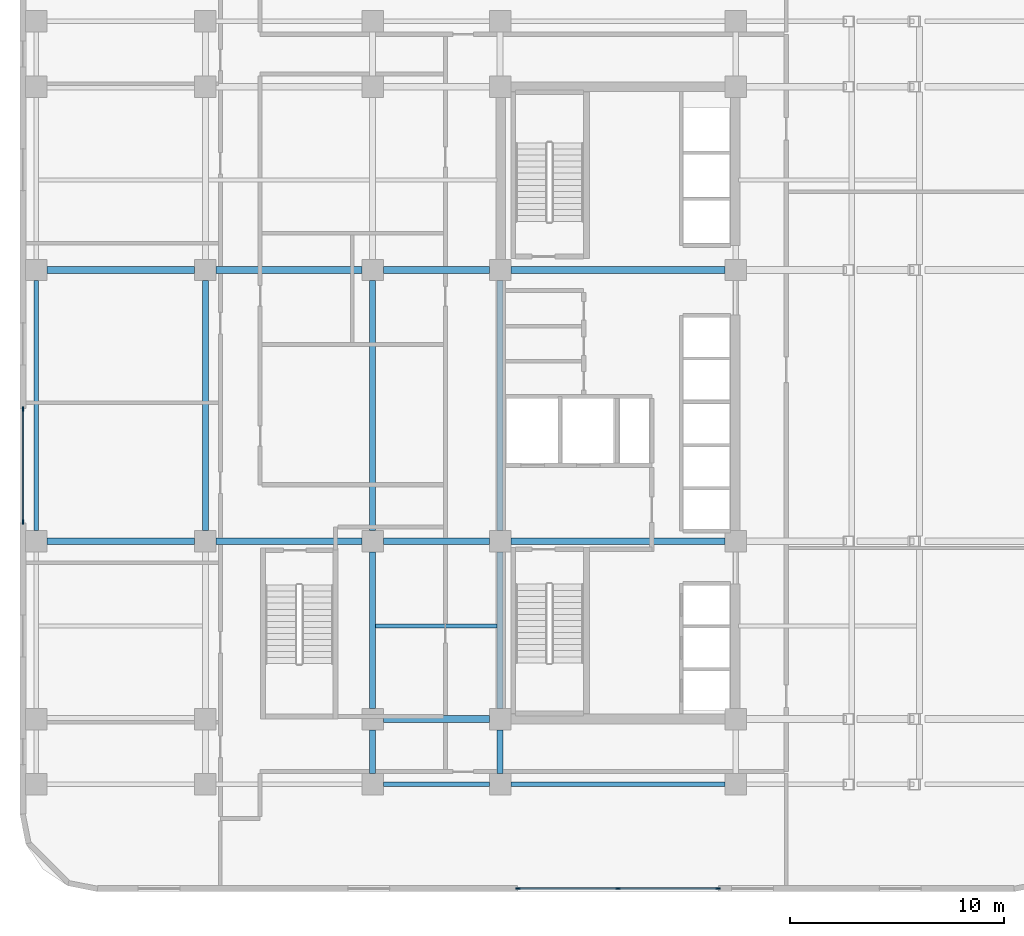
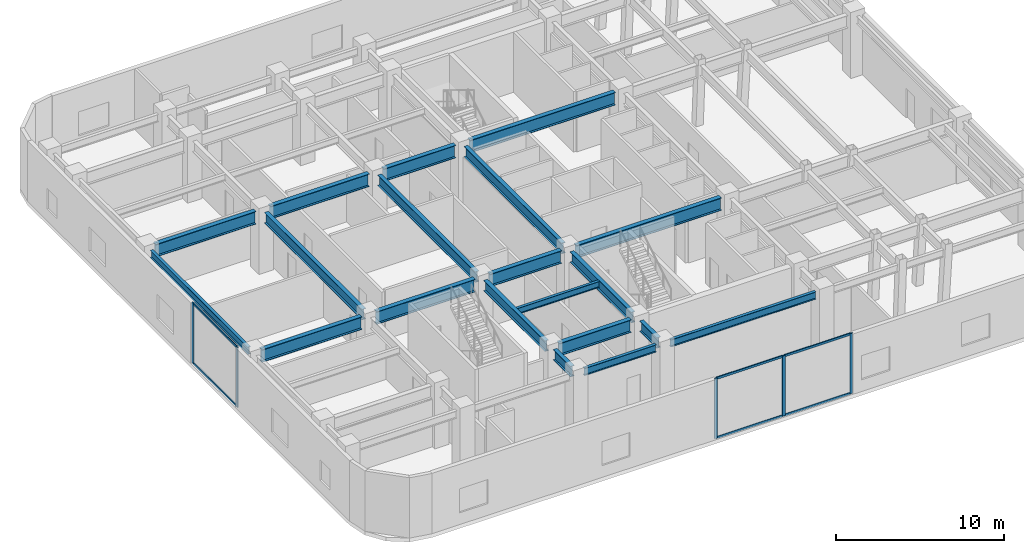
# One storey, part 2 of 10: 20 beams, 11 members, 2 elements without a shape of their own.
"""IFC4 building model written with IfcOpenShell, lengths in metres."""

from ifc_helpers import new_model, si_unit, direction, frame, origin, origin_2d, place, context, subcontext, project, spatial, rectangle, i_section, extrude, material, layer, layer_set, material_profile, profile_set, type_object, element, aggregate, save


model = new_model("IFC4")

# Units and contexts
model_context = context("Model", 3, precision=1e-05, world=origin(), true_north=direction((0.0, 1.0)))
body_context = subcontext(model_context, "Body", "Model", "MODEL_VIEW")
ifc_project = project(units=[si_unit("LENGTHUNIT", "METRE"), si_unit("AREAUNIT", "SQUARE_METRE"), si_unit("VOLUMEUNIT", "CUBIC_METRE"), si_unit("PLANEANGLEUNIT", "RADIAN"), si_unit("MASSUNIT", "GRAM", prefix="KILO")], contexts=[model_context])

# Site, building, storey
site_placement = place(None, origin())
site = spatial("IfcSite", under=ifc_project, at=site_placement, CompositionType="ELEMENT")
building_placement = place(site_placement, origin())
building = spatial("IfcBuilding", under=site, at=building_placement, Name="Ochreholt Gables", CompositionType="ELEMENT")
storey_placement = place(building_placement, frame((0.0, 0.0, 14.39990234375)))
storey = spatial("IfcBuildingStorey", under=building, at=storey_placement, Name="L03", CompositionType="ELEMENT", Elevation=14.39990234375)

# Beams
ifc_material_1 = material(Name="Steel CSA G40.21 350W", Category="steel")
ifc_material_profile_1 = material_profile(ifc_material_1, i_section(OverallWidth=0.26806640625, OverallDepth=0.77001953125, WebThickness=0.015625, FlangeThickness=0.025390625, at=origin_2d()), Name="W760X196")
ifc_profile_set_1 = profile_set([ifc_material_profile_1], Name="Steel CSA G40.21 350W")
beam_type_1 = type_object("IfcBeamType", Name="BM-G-W760", PredefinedType="BEAM", material=ifc_profile_set_1)
beam_1_placement = place(storey_placement, frame((10.449951171875, 18.049560546875, 4.005126953125), z_axis=(0.0, 1.0, 0.0), x_axis=(-1.0, 0.0, 0.0)))
element("IfcBeam", 1, at=beam_1_placement, inside=storey, type_object=beam_type_1, Name="L03 Beam BG-L03-W2-Y3Y4", PredefinedType="BEAM", context=body_context, shape_type="SweptSolid", body=[
    extrude(i_section(OverallWidth=0.26806640625, OverallDepth=0.77001953125, WebThickness=0.015625, FlangeThickness=0.025390625, at=origin_2d()), origin(), (0.0, 0.0, 1.0), 11.65087890625),
])
beam_2_placement = place(storey_placement, frame((18.25, 6.69970703125, 4.005126953125), z_axis=(0.0, 1.0, 0.0), x_axis=(-1.0, 0.0, 0.0)))
element("IfcBeam", 2, at=beam_2_placement, inside=storey, type_object=beam_type_1, Name="L03 Beam BG-L03-W3-Y1Y2", PredefinedType="BEAM", context=body_context, shape_type="SweptSolid", body=[
    extrude(i_section(OverallWidth=0.26806640625, OverallDepth=0.77001953125, WebThickness=0.015625, FlangeThickness=0.025390625, at=origin_2d()), origin(), (0.0, 0.0, 1.0), 2.05078125),
])
beam_3_placement = place(storey_placement, frame((18.25, 9.74951171875, 4.005126953125), z_axis=(0.0, 1.0, 0.0), x_axis=(-1.0, 0.0, 0.0)))
element("IfcBeam", 3, at=beam_3_placement, inside=storey, type_object=beam_type_1, Name="L03 Beam BG-L03-W3-Y2Y3", PredefinedType="BEAM", context=body_context, shape_type="SweptSolid", body=[
    extrude(i_section(OverallWidth=0.26806640625, OverallDepth=0.77001953125, WebThickness=0.015625, FlangeThickness=0.025390625, at=origin_2d()), origin(), (0.0, 0.0, 1.0), 7.30078125),
])
beam_4_placement = place(storey_placement, frame((18.25, 18.049560546875, 4.005126953125), z_axis=(0.0, 1.0, 0.0), x_axis=(-1.0, 0.0, 0.0)))
element("IfcBeam", 4, at=beam_4_placement, inside=storey, type_object=beam_type_1, Name="L03 Beam BG-L03-W3-Y3Y4", PredefinedType="BEAM", context=body_context, shape_type="SweptSolid", body=[
    extrude(i_section(OverallWidth=0.26806640625, OverallDepth=0.77001953125, WebThickness=0.015625, FlangeThickness=0.025390625, at=origin_2d()), origin(), (0.0, 0.0, 1.0), 11.65087890625),
])
beam_5_placement = place(storey_placement, frame((24.199951171875, 6.69970703125, 4.005126953125), z_axis=(0.0, 1.0, 0.0), x_axis=(-1.0, 0.0, 0.0)))
element("IfcBeam", 5, at=beam_5_placement, inside=storey, type_object=beam_type_1, Name="L03 Beam BG-L03-C1-Y1Y2", PredefinedType="BEAM", context=body_context, shape_type="SweptSolid", body=[
    extrude(i_section(OverallWidth=0.26806640625, OverallDepth=0.77001953125, WebThickness=0.015625, FlangeThickness=0.025390625, at=origin_2d()), origin(), (0.0, 0.0, 1.0), 2.05078125),
])
beam_6_placement = place(storey_placement, frame((24.199951171875, 9.74951171875, 4.005126953125), z_axis=(0.0, 1.0, 0.0), x_axis=(-1.0, 0.0, 0.0)))
element("IfcBeam", 6, at=beam_6_placement, inside=storey, type_object=beam_type_1, Name="L03 Beam BG-L03-C1-Y2Y3", PredefinedType="BEAM", context=body_context, shape_type="SweptSolid", body=[
    extrude(i_section(OverallWidth=0.26806640625, OverallDepth=0.77001953125, WebThickness=0.015625, FlangeThickness=0.025390625, at=origin_2d()), origin(), (0.0, 0.0, 1.0), 7.30078125),
])
beam_7_placement = place(storey_placement, frame((24.199951171875, 18.049560546875, 4.005126953125), z_axis=(0.0, 1.0, 0.0), x_axis=(-1.0, 0.0, 0.0)))
element("IfcBeam", 7, at=beam_7_placement, inside=storey, type_object=beam_type_1, Name="L03 Beam BG-L03-C1-Y3Y4", PredefinedType="BEAM", context=body_context, shape_type="SweptSolid", body=[
    extrude(i_section(OverallWidth=0.26806640625, OverallDepth=0.77001953125, WebThickness=0.015625, FlangeThickness=0.025390625, at=origin_2d()), origin(), (0.0, 0.0, 1.0), 11.65087890625),
])
ifc_material_profile_2 = material_profile(ifc_material_1, i_section(OverallWidth=0.30810546875, OverallDepth=0.927001953125, WebThickness=0.019287109375, FlangeThickness=0.031982421875, at=origin_2d()), Name="W920X289")
ifc_profile_set_2 = profile_set([ifc_material_profile_2], Name="Steel CSA G40.21 350W")
beam_type_2 = type_object("IfcBeamType", Name="BM-G-W920", PredefinedType="BEAM", material=ifc_profile_set_2)
beam_8_placement = place(storey_placement, frame((18.74951171875, 9.25, 3.926513671875), z_axis=(1.0, 0.0, 0.0), x_axis=(0.0, 1.0, 0.0)))
element("IfcBeam", 8, at=beam_8_placement, inside=storey, type_object=beam_type_2, Name="L03 Beam BG-L03-W3C1-Y2", PredefinedType="BEAM", context=body_context, shape_type="SweptSolid", body=[
    extrude(i_section(OverallWidth=0.30810546875, OverallDepth=0.927001953125, WebThickness=0.019287109375, FlangeThickness=0.031982421875, at=origin_2d()), origin(), (0.0, 0.0, 1.0), 4.950927734375),
])
beam_9_placement = place(storey_placement, frame((3.049560546875, 17.550048828125, 3.926513671875), z_axis=(1.0, 0.0, 0.0), x_axis=(0.0, 1.0, 0.0)))
element("IfcBeam", 9, at=beam_9_placement, inside=storey, type_object=beam_type_2, Name="L03 Beam BG-L03-W1W2-Y3", PredefinedType="BEAM", context=body_context, shape_type="SweptSolid", body=[
    extrude(i_section(OverallWidth=0.30810546875, OverallDepth=0.927001953125, WebThickness=0.019287109375, FlangeThickness=0.031982421875, at=origin_2d()), origin(), (0.0, 0.0, 1.0), 6.90087890625),
])
beam_10_placement = place(storey_placement, frame((10.94970703125, 17.550048828125, 3.926513671875), z_axis=(1.0, 0.0, 0.0), x_axis=(0.0, 1.0, 0.0)))
element("IfcBeam", 10, at=beam_10_placement, inside=storey, type_object=beam_type_2, Name="L03 Beam BG-L03-W2W3-Y3", PredefinedType="BEAM", context=body_context, shape_type="SweptSolid", body=[
    extrude(i_section(OverallWidth=0.30810546875, OverallDepth=0.927001953125, WebThickness=0.019287109375, FlangeThickness=0.031982421875, at=origin_2d()), origin(), (0.0, 0.0, 1.0), 6.80078125),
])
beam_11_placement = place(storey_placement, frame((18.74951171875, 17.550048828125, 3.926513671875), z_axis=(1.0, 0.0, 0.0), x_axis=(0.0, 1.0, 0.0)))
element("IfcBeam", 11, at=beam_11_placement, inside=storey, type_object=beam_type_2, Name="L03 Beam BG-L03-W3C1-Y3", PredefinedType="BEAM", context=body_context, shape_type="SweptSolid", body=[
    extrude(i_section(OverallWidth=0.30810546875, OverallDepth=0.927001953125, WebThickness=0.019287109375, FlangeThickness=0.031982421875, at=origin_2d()), origin(), (0.0, 0.0, 1.0), 4.950927734375),
])
beam_12_placement = place(storey_placement, frame((24.69970703125, 17.550048828125, 3.926513671875), z_axis=(1.0, 0.0, 0.0), x_axis=(0.0, 1.0, 0.0)))
element("IfcBeam", 12, at=beam_12_placement, inside=storey, type_object=beam_type_2, Name="L03 Beam BG-L03-C1C2-Y3", PredefinedType="BEAM", context=body_context, shape_type="SweptSolid", body=[
    extrude(i_section(OverallWidth=0.30810546875, OverallDepth=0.927001953125, WebThickness=0.019287109375, FlangeThickness=0.031982421875, at=origin_2d()), origin(), (0.0, 0.0, 1.0), 10.000732421875),
])
beam_13_placement = place(storey_placement, frame((3.049560546875, 30.199951171875, 3.926513671875), z_axis=(1.0, 0.0, 0.0), x_axis=(0.0, 1.0, 0.0)))
element("IfcBeam", 13, at=beam_13_placement, inside=storey, type_object=beam_type_2, Name="L03 Beam BG-L03-W1W2-Y4", PredefinedType="BEAM", context=body_context, shape_type="SweptSolid", body=[
    extrude(i_section(OverallWidth=0.30810546875, OverallDepth=0.927001953125, WebThickness=0.019287109375, FlangeThickness=0.031982421875, at=origin_2d()), origin(), (0.0, 0.0, 1.0), 6.90087890625),
])
beam_14_placement = place(storey_placement, frame((10.94970703125, 30.199951171875, 3.926513671875), z_axis=(1.0, 0.0, 0.0), x_axis=(0.0, 1.0, 0.0)))
element("IfcBeam", 14, at=beam_14_placement, inside=storey, type_object=beam_type_2, Name="L03 Beam BG-L03-W2W3-Y4", PredefinedType="BEAM", context=body_context, shape_type="SweptSolid", body=[
    extrude(i_section(OverallWidth=0.30810546875, OverallDepth=0.927001953125, WebThickness=0.019287109375, FlangeThickness=0.031982421875, at=origin_2d()), origin(), (0.0, 0.0, 1.0), 6.80078125),
])
beam_15_placement = place(storey_placement, frame((18.74951171875, 30.199951171875, 3.926513671875), z_axis=(1.0, 0.0, 0.0), x_axis=(0.0, 1.0, 0.0)))
element("IfcBeam", 15, at=beam_15_placement, inside=storey, type_object=beam_type_2, Name="L03 Beam BG-L03-W3C1-Y4", PredefinedType="BEAM", context=body_context, shape_type="SweptSolid", body=[
    extrude(i_section(OverallWidth=0.30810546875, OverallDepth=0.927001953125, WebThickness=0.019287109375, FlangeThickness=0.031982421875, at=origin_2d()), origin(), (0.0, 0.0, 1.0), 4.950927734375),
])
beam_16_placement = place(storey_placement, frame((24.69970703125, 30.199951171875, 3.926513671875), z_axis=(1.0, 0.0, 0.0), x_axis=(0.0, 1.0, 0.0)))
element("IfcBeam", 16, at=beam_16_placement, inside=storey, type_object=beam_type_2, Name="L03 Beam BG-L03-C1C2-Y4", PredefinedType="BEAM", context=body_context, shape_type="SweptSolid", body=[
    extrude(i_section(OverallWidth=0.30810546875, OverallDepth=0.927001953125, WebThickness=0.019287109375, FlangeThickness=0.031982421875, at=origin_2d()), origin(), (0.0, 0.0, 1.0), 10.000732421875),
])
ifc_material_profile_3 = material_profile(ifc_material_1, i_section(OverallWidth=0.18994140625, OverallDepth=0.45703125, WebThickness=0.009033203125, FlangeThickness=0.014404296875, at=origin_2d()), Name="W460X74")
ifc_profile_set_3 = profile_set([ifc_material_profile_3], Name="Steel CSA G40.21 350W")
beam_type_3 = type_object("IfcBeamType", Name="BM-J-W460B", PredefinedType="JOIST", material=ifc_profile_set_3)
beam_17_placement = place(storey_placement, frame((18.383544921875, 13.60009765625, 4.16162109375), z_axis=(1.0, 0.0, 0.0), x_axis=(0.0, 1.0, 0.0)))
element("IfcBeam", 17, at=beam_17_placement, inside=storey, type_object=beam_type_3, Name="L03 Beam BJ-L03-J1-W3C1", PredefinedType="JOIST", context=body_context, shape_type="SweptSolid", body=[
    extrude(i_section(OverallWidth=0.18994140625, OverallDepth=0.45703125, WebThickness=0.009033203125, FlangeThickness=0.014404296875, at=origin_2d()), origin(), (0.0, 0.0, 1.0), 5.682861328125),
])
ifc_material_profile_4 = material_profile(ifc_material_1, i_section(OverallWidth=0.208984375, OverallDepth=0.532958984375, WebThickness=0.01025390625, FlangeThickness=0.015625, at=origin_2d()), Name="W530X92")
ifc_profile_set_4 = profile_set([ifc_material_profile_4], Name="Steel CSA G40.21 350W")
beam_type_4 = type_object("IfcBeamType", Name="BM-SP-W530B", PredefinedType="SPANDREL", material=ifc_profile_set_4)
beam_18_placement = place(storey_placement, frame((18.74951171875, 6.199951171875, 4.12353515625), z_axis=(1.0, 0.0, 0.0), x_axis=(0.0, 1.0, 0.0)))
element("IfcBeam", 18, at=beam_18_placement, inside=storey, type_object=beam_type_4, Name="L03 Beam BG-L03-W3C1-Y1", PredefinedType="SPANDREL", context=body_context, shape_type="SweptSolid", body=[
    extrude(i_section(OverallWidth=0.208984375, OverallDepth=0.532958984375, WebThickness=0.01025390625, FlangeThickness=0.015625, at=origin_2d()), origin(), (0.0, 0.0, 1.0), 4.950927734375),
])
beam_19_placement = place(storey_placement, frame((24.69970703125, 6.199951171875, 4.12353515625), z_axis=(1.0, 0.0, 0.0), x_axis=(0.0, 1.0, 0.0)))
element("IfcBeam", 19, at=beam_19_placement, inside=storey, type_object=beam_type_4, Name="L03 Beam BG-L03-C1C2-Y1", PredefinedType="SPANDREL", context=body_context, shape_type="SweptSolid", body=[
    extrude(i_section(OverallWidth=0.208984375, OverallDepth=0.532958984375, WebThickness=0.01025390625, FlangeThickness=0.015625, at=origin_2d()), origin(), (0.0, 0.0, 1.0), 10.000732421875),
])
beam_20_placement = place(storey_placement, frame((2.550048828125, 18.049560546875, 4.12353515625), z_axis=(0.0, 1.0, 0.0), x_axis=(-1.0, 0.0, 0.0)))
element("IfcBeam", 20, at=beam_20_placement, inside=storey, type_object=beam_type_4, Name="L03 Beam BG-L03-W1-Y3Y4", PredefinedType="SPANDREL", context=body_context, shape_type="SweptSolid", body=[
    extrude(i_section(OverallWidth=0.208984375, OverallDepth=0.532958984375, WebThickness=0.01025390625, FlangeThickness=0.015625, at=origin_2d()), origin(), (0.0, 0.0, 1.0), 11.65087890625),
])

# Curtain wall, members
ifc_material_2 = material(Name="Unitised Aluminium and Triple Glazing", Category="aluminium")
ifc_layer = layer(ifc_material_2, 0.199951171875, Name="Unitised Aluminium and Triple Glazing")
ifc_layer_set = layer_set([ifc_layer], Name="Unitised Aluminium and Triple Glazing")
curtain_wall_type = type_object("IfcCurtainWallType", Name="CW-SYS1", PredefinedType="NOTDEFINED", material=ifc_layer_set)
curtain_wall_1_placement = place(storey_placement, origin())
curtain_wall_1 = element("IfcCurtainWall", 21, at=curtain_wall_1_placement, inside=storey, type_object=curtain_wall_type, Name="L03 South Unitised Curtain Wall", PredefinedType="NOTDEFINED")
ifc_material_3 = material(Name="Anodized Aluminium 6063-T6", Category="aluminium")
ifc_material_profile_5 = material_profile(ifc_material_3, rectangle(XDim=0.074951171875, YDim=0.199951171875, at=origin_2d()), Name="CWM75X200")
ifc_profile_set_5 = profile_set([ifc_material_profile_5], Name="Anodized Aluminium 6063-T6")
member_type_1 = type_object("IfcMemberType", Name="CW-MUL-A", PredefinedType="MULLION", material=ifc_profile_set_5)
member_1_placement = place(storey_placement, frame((25.03759765625, 1.344970703125, 0.0), z_axis=(0.0, 0.0, 1.0), x_axis=(0.0, 1.0, 0.0)))
member_1 = element("IfcMember", 22, at=member_1_placement, type_object=member_type_1, Name="CW-1 mullion 1", PredefinedType="MULLION", context=body_context, shape_type="SweptSolid", body=[
    extrude(rectangle(XDim=0.074951171875, YDim=0.199951171875, at=origin_2d()), origin(), (0.0, 0.0, 1.0), 4.39013671875),
])
member_2_placement = place(storey_placement, frame((29.699951171875, 1.344970703125, 0.0), z_axis=(0.0, 0.0, 1.0), x_axis=(0.0, 1.0, 0.0)))
member_2 = element("IfcMember", 23, at=member_2_placement, type_object=member_type_1, Name="CW-1 mullion 2", PredefinedType="MULLION", context=body_context, shape_type="SweptSolid", body=[
    extrude(rectangle(XDim=0.074951171875, YDim=0.199951171875, at=origin_2d()), origin(), (0.0, 0.0, 1.0), 4.39013671875),
])
member_3_placement = place(storey_placement, frame((34.362548828125, 1.344970703125, 0.0), z_axis=(0.0, 0.0, 1.0), x_axis=(0.0, 1.0, 0.0)))
member_3 = element("IfcMember", 24, at=member_3_placement, type_object=member_type_1, Name="CW-1 mullion 3", PredefinedType="MULLION", context=body_context, shape_type="SweptSolid", body=[
    extrude(rectangle(XDim=0.074951171875, YDim=0.199951171875, at=origin_2d()), origin(), (0.0, 0.0, 1.0), 4.39013671875),
])

curtain_wall_2_placement = place(storey_placement, origin())
curtain_wall_2 = element("IfcCurtainWall", 25, at=curtain_wall_2_placement, inside=storey, type_object=curtain_wall_type, Name="L03 West Unitised Curtain Wall", PredefinedType="NOTDEFINED")
member_4_placement = place(storey_placement, frame((1.945068359375, 23.71240234375, 0.0), z_axis=(0.0, 0.0, 1.0), x_axis=(1.0, 0.0, 0.0)))
member_4 = element("IfcMember", 26, at=member_4_placement, type_object=member_type_1, Name="CW-1 mullion 1", PredefinedType="MULLION", context=body_context, shape_type="SweptSolid", body=[
    extrude(rectangle(XDim=0.074951171875, YDim=0.199951171875, at=origin_2d()), origin(), (0.0, 0.0, 1.0), 4.39013671875),
])
member_5_placement = place(storey_placement, frame((1.945068359375, 18.4375, 0.0), z_axis=(0.0, 0.0, 1.0), x_axis=(1.0, 0.0, 0.0)))
member_5 = element("IfcMember", 27, at=member_5_placement, type_object=member_type_1, Name="CW-1 mullion 2", PredefinedType="MULLION", context=body_context, shape_type="SweptSolid", body=[
    extrude(rectangle(XDim=0.074951171875, YDim=0.199951171875, at=origin_2d()), origin(), (0.0, 0.0, 1.0), 4.39013671875),
])

# Member
ifc_material_profile_6 = material_profile(ifc_material_3, rectangle(XDim=0.074951171875, YDim=0.159912109375, at=origin_2d()), Name="CWT75X160")
ifc_profile_set_6 = profile_set([ifc_material_profile_6], Name="Anodized Aluminium 6063-T6")
member_type_2 = type_object("IfcMemberType", Name="CW-TRN-A", PredefinedType="USERDEFINED", material=ifc_profile_set_6)
member_6_placement = place(storey_placement, frame((25.074951171875, 1.344970703125, 0.03759765625), z_axis=(1.0, 0.0, 0.0), x_axis=(0.0, 1.0, 0.0)))
member_6 = element("IfcMember", 28, at=member_6_placement, type_object=member_type_2, Name="CW-1 transom 1.1", ObjectType="TRANSOM", PredefinedType="USERDEFINED", context=body_context, shape_type="SweptSolid", body=[
    extrude(rectangle(XDim=0.074951171875, YDim=0.159912109375, at=origin_2d()), origin(), (0.0, 0.0, 1.0), 4.587646484375),
])

member_7_placement = place(storey_placement, frame((25.074951171875, 1.344970703125, 4.3525390625), z_axis=(1.0, 0.0, 0.0), x_axis=(0.0, 1.0, 0.0)))
member_7 = element("IfcMember", 29, at=member_7_placement, type_object=member_type_2, Name="CW-1 transom 1.2", ObjectType="TRANSOM", PredefinedType="USERDEFINED", context=body_context, shape_type="SweptSolid", body=[
    extrude(rectangle(XDim=0.074951171875, YDim=0.159912109375, at=origin_2d()), origin(), (0.0, 0.0, 1.0), 4.587646484375),
])

member_8_placement = place(storey_placement, frame((29.737548828125, 1.344970703125, 0.03759765625), z_axis=(1.0, 0.0, 0.0), x_axis=(0.0, 1.0, 0.0)))
member_8 = element("IfcMember", 30, at=member_8_placement, type_object=member_type_2, Name="CW-1 transom 2.1", ObjectType="TRANSOM", PredefinedType="USERDEFINED", context=body_context, shape_type="SweptSolid", body=[
    extrude(rectangle(XDim=0.074951171875, YDim=0.159912109375, at=origin_2d()), origin(), (0.0, 0.0, 1.0), 4.58740234375),
])

member_9_placement = place(storey_placement, frame((29.737548828125, 1.344970703125, 4.3525390625), z_axis=(1.0, 0.0, 0.0), x_axis=(0.0, 1.0, 0.0)))
member_9 = element("IfcMember", 31, at=member_9_placement, type_object=member_type_2, Name="CW-1 transom 2.2", ObjectType="TRANSOM", PredefinedType="USERDEFINED", context=body_context, shape_type="SweptSolid", body=[
    extrude(rectangle(XDim=0.074951171875, YDim=0.159912109375, at=origin_2d()), origin(), (0.0, 0.0, 1.0), 4.58740234375),
])

aggregate(curtain_wall_1, [member_1, member_2, member_3, member_6, member_7, member_8, member_9])

member_10_placement = place(storey_placement, frame((1.945068359375, 23.675048828125, 0.03759765625), z_axis=(0.0, -1.0, 0.0), x_axis=(1.0, 0.0, 0.0)))
member_10 = element("IfcMember", 32, at=member_10_placement, type_object=member_type_2, Name="CW-1 transom 1.1", ObjectType="TRANSOM", PredefinedType="USERDEFINED", context=body_context, shape_type="SweptSolid", body=[
    extrude(rectangle(XDim=0.074951171875, YDim=0.159912109375, at=origin_2d()), origin(), (0.0, 0.0, 1.0), 5.199951171875),
])

member_11_placement = place(storey_placement, frame((1.945068359375, 23.675048828125, 4.3525390625), z_axis=(0.0, -1.0, 0.0), x_axis=(1.0, 0.0, 0.0)))
member_11 = element("IfcMember", 33, at=member_11_placement, type_object=member_type_2, Name="CW-1 transom 1.2", ObjectType="TRANSOM", PredefinedType="USERDEFINED", context=body_context, shape_type="SweptSolid", body=[
    extrude(rectangle(XDim=0.074951171875, YDim=0.159912109375, at=origin_2d()), origin(), (0.0, 0.0, 1.0), 5.199951171875),
])

aggregate(curtain_wall_2, [member_4, member_5, member_10, member_11])

save(model, "model.ifc")
